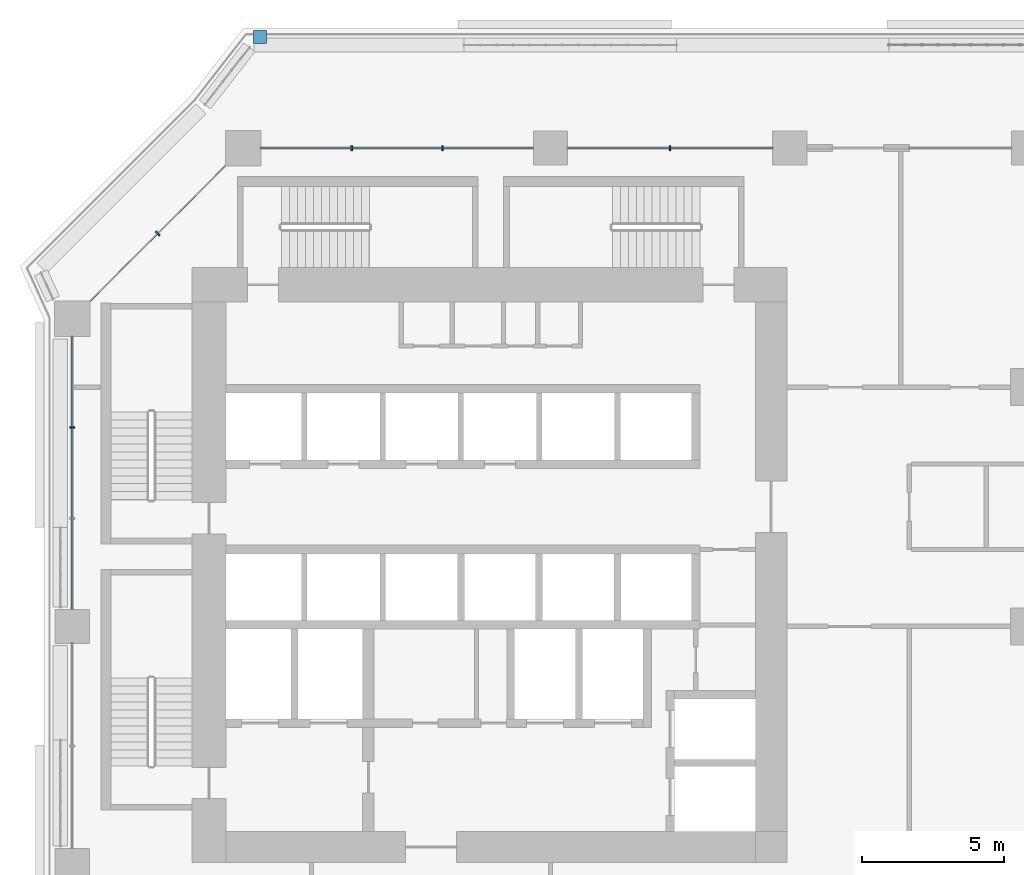
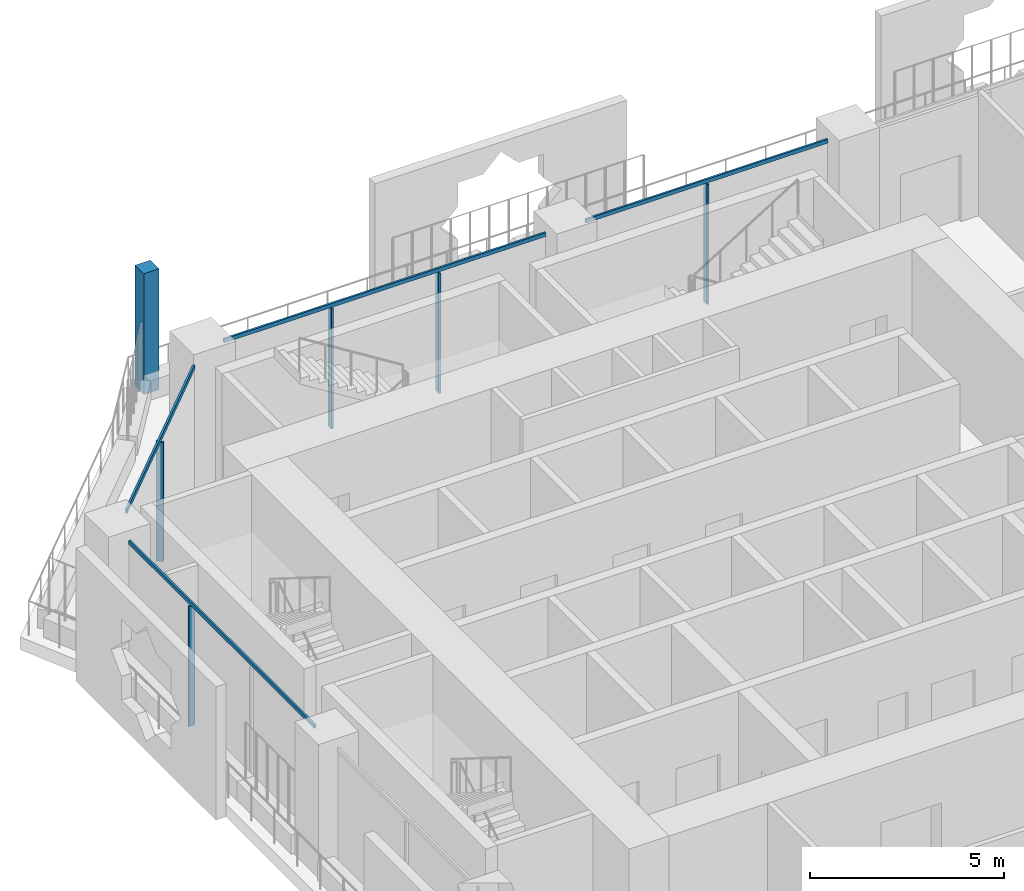
# One storey, part 8 of 28: 10 members, 4 elements without a shape of their own.
"""IFC4 building model written with IfcOpenShell, lengths in metres."""

from ifc_helpers import new_model, si_unit, direction, frame, origin, origin_2d, place, context, subcontext, project, spatial, rectangle, extrude, material, layer, layer_set, material_profile, profile_set, type_object, element, aggregate, save


model = new_model("IFC4")

# Units and contexts
model_context = context("Model", 3, precision=1e-05, world=origin(), true_north=direction((0.0, 1.0)))
body_context = subcontext(model_context, "Body", "Model", "MODEL_VIEW")
ifc_project = project(units=[si_unit("LENGTHUNIT", "METRE"), si_unit("AREAUNIT", "SQUARE_METRE"), si_unit("VOLUMEUNIT", "CUBIC_METRE"), si_unit("PLANEANGLEUNIT", "RADIAN"), si_unit("MASSUNIT", "GRAM", prefix="KILO")], contexts=[model_context])

# Site, building, storey
site_placement = place(None, origin())
site = spatial("IfcSite", under=ifc_project, at=site_placement, CompositionType="ELEMENT")
building_placement = place(site_placement, origin())
building = spatial("IfcBuilding", under=site, at=building_placement, Name="Kawkab Arch Medical Tower", CompositionType="ELEMENT")
storey_placement = place(building_placement, frame((0.0, 0.0, 72.800048828125)))
storey = spatial("IfcBuildingStorey", under=building, at=storey_placement, Name="L16", CompositionType="ELEMENT", Elevation=72.800048828125)

# Curtain wall, member
ifc_material_1 = material(Name="Bronze anodised aluminium curtain wall frame", Category="aluminium")
ifc_layer_1 = layer(ifc_material_1, 0.159912109375)
ifc_layer_set_1 = layer_set([ifc_layer_1], Name="Bronze anodised aluminium curtain wall frame")
curtain_wall_type_1 = type_object("IfcCurtainWallType", Name="CW1 ward curtain wall", PredefinedType="NOTDEFINED", material=ifc_layer_set_1)
placement = place(storey_placement, origin())
curtain_wall_1 = element("IfcCurtainWall", 1, at=placement, inside=storey, type_object=curtain_wall_type_1, Name="CW1 Ward curtain wall R01", PredefinedType="NOTDEFINED")
ifc_material_2 = material(Name="Bronze anodised aluminium curtain wall frame", Category="aluminium")
ifc_material_profile_1 = material_profile(ifc_material_2, rectangle(XDim=0.179931640625, YDim=0.06005859375, at=origin_2d()), Name="AL 60x180")
ifc_profile_set_1 = profile_set([ifc_material_profile_1], Name="Bronze anodised aluminium curtain wall frame")
member_type_1 = type_object("IfcMemberType", Name="CW1 mullion 60 x 180", PredefinedType="MULLION", material=ifc_profile_set_1)
member_1_placement = place(storey_placement, frame((0.0, -9.816650390625, 0.0), z_axis=(0.0, 0.0, 1.0), x_axis=(1.0, 0.0, 0.0)))
member_1 = element("IfcMember", 2, at=member_1_placement, type_object=member_type_1, Name="CW1 mullion 1.1", PredefinedType="MULLION", context=body_context, shape_type="SweptSolid", body=[
    extrude(rectangle(XDim=0.179931640625, YDim=0.06005859375, at=origin_2d()), origin(), (0.0, 0.0, 1.0), 3.780029296875),
])

# Curtain wall, members
curtain_wall_2 = element("IfcCurtainWall", 3, at=placement, inside=storey, type_object=curtain_wall_type_1, Name="CW1 Ward curtain wall R11", PredefinedType="NOTDEFINED")
member_2_placement = place(storey_placement, frame((21.0, 0.0, 0.0), z_axis=(0.0, 0.0, 1.0), x_axis=(0.0, -1.0, 0.0)))
member_2 = element("IfcMember", 4, at=member_2_placement, type_object=member_type_1, Name="CW1 mullion 7.1", PredefinedType="MULLION", context=body_context, shape_type="SweptSolid", body=[
    extrude(rectangle(XDim=0.179931640625, YDim=0.06005859375, at=origin_2d()), origin(), (0.0, 0.0, 1.0), 3.780029296875),
])
member_3_placement = place(storey_placement, frame((13.00830078125, 0.0, 0.0), z_axis=(0.0, 0.0, 1.0), x_axis=(0.0, -1.0, 0.0)))
member_3 = element("IfcMember", 5, at=member_3_placement, type_object=member_type_1, Name="CW1 mullion 8.1", PredefinedType="MULLION", context=body_context, shape_type="SweptSolid", body=[
    extrude(rectangle(XDim=0.179931640625, YDim=0.06005859375, at=origin_2d()), origin(), (0.0, 0.0, 1.0), 3.780029296875),
])
member_4_placement = place(storey_placement, frame((9.816650390625, 0.0, 0.0), z_axis=(0.0, 0.0, 1.0), x_axis=(0.0, -1.0, 0.0)))
member_4 = element("IfcMember", 6, at=member_4_placement, type_object=member_type_1, Name="CW1 mullion 8.2", PredefinedType="MULLION", context=body_context, shape_type="SweptSolid", body=[
    extrude(rectangle(XDim=0.179931640625, YDim=0.06005859375, at=origin_2d()), origin(), (0.0, 0.0, 1.0), 3.780029296875),
])

# Member
ifc_material_3 = material(Name="Bronze anodised aluminium curtain wall frame", Category="aluminium")
ifc_material_profile_2 = material_profile(ifc_material_3, rectangle(XDim=0.06005859375, YDim=0.1201171875, at=origin_2d()), Name="AL 60x120")
ifc_profile_set_2 = profile_set([ifc_material_profile_2], Name="Bronze anodised aluminium curtain wall frame")
member_type_2 = type_object("IfcMemberType", Name="CW1 transom 120 x 60", PredefinedType="USERDEFINED", material=ifc_profile_set_2)
member_5_placement = place(storey_placement, frame((0.0, -6.625, 3.83984375), z_axis=(0.0, -1.0, 0.0), x_axis=(1.0, 0.0, 0.0)))
member_5 = element("IfcMember", 7, at=member_5_placement, type_object=member_type_2, Name="CW1 transom 1", ObjectType="TRANSOM", PredefinedType="USERDEFINED", context=body_context, shape_type="SweptSolid", body=[
    extrude(rectangle(XDim=0.06005859375, YDim=0.1201171875, at=origin_2d()), origin(), (0.0, 0.0, 1.0), 9.574951171875),
])

aggregate(curtain_wall_1, [member_5, member_1])

member_6_placement = place(storey_placement, frame((24.60009765625, 0.0, 3.83984375), z_axis=(-1.0, 0.0, 0.0), x_axis=(0.0, -1.0, 0.0)))
member_6 = element("IfcMember", 8, at=member_6_placement, type_object=member_type_2, Name="CW1 transom 7", ObjectType="TRANSOM", PredefinedType="USERDEFINED", context=body_context, shape_type="SweptSolid", body=[
    extrude(rectangle(XDim=0.06005859375, YDim=0.1201171875, at=origin_2d()), origin(), (0.0, 0.0, 1.0), 7.2001953125),
])

member_7_placement = place(storey_placement, frame((16.199951171875, 0.0, 3.83984375), z_axis=(-1.0, 0.0, 0.0), x_axis=(0.0, -1.0, 0.0)))
member_7 = element("IfcMember", 9, at=member_7_placement, type_object=member_type_2, Name="CW1 transom 8", ObjectType="TRANSOM", PredefinedType="USERDEFINED", context=body_context, shape_type="SweptSolid", body=[
    extrude(rectangle(XDim=0.06005859375, YDim=0.1201171875, at=origin_2d()), origin(), (0.0, 0.0, 1.0), 9.574951171875),
])

aggregate(curtain_wall_2, [member_6, member_2, member_7, member_3, member_4])

# Curtain wall, members
ifc_material_4 = material(Name="Bronze anodised aluminium curtain wall frame", Category="aluminium")
ifc_layer_2 = layer(ifc_material_4, 0.159912109375)
ifc_layer_set_2 = layer_set([ifc_layer_2], Name="Bronze anodised aluminium curtain wall frame")
curtain_wall_type_2 = type_object("IfcCurtainWallType", Name="CW2 chamfer curtain wall", PredefinedType="NOTDEFINED", material=ifc_layer_set_2)
curtain_wall_3 = element("IfcCurtainWall", 10, at=placement, inside=storey, type_object=curtain_wall_type_2, Name="CW2 Chamfer curtain wall R12", PredefinedType="NOTDEFINED")
ifc_material_5 = material(Name="Bronze anodised aluminium curtain wall frame", Category="aluminium")
ifc_material_profile_3 = material_profile(ifc_material_5, rectangle(XDim=0.199951171875, YDim=0.06005859375, at=origin_2d()), Name="AL 60x200")
ifc_profile_set_3 = profile_set([ifc_material_profile_3], Name="Bronze anodised aluminium curtain wall frame")
member_type_3 = type_object("IfcMemberType", Name="CW2 mullion 60 x 200", PredefinedType="MULLION", material=ifc_profile_set_3)
member_8_placement = place(storey_placement, frame((3.0, -3.0, 0.0), z_axis=(0.0, 0.0, 1.0), x_axis=(0.707106781187, -0.707106781187, 0.0)))
member_8 = element("IfcMember", 11, at=member_8_placement, type_object=member_type_3, Name="CW2 mullion 1.1", PredefinedType="MULLION", context=body_context, shape_type="SweptSolid", body=[
    extrude(rectangle(XDim=0.199951171875, YDim=0.06005859375, at=origin_2d()), origin(), (0.0, 0.0, 1.0), 3.760009765625),
])
ifc_material_6 = material(Name="Bronze anodised aluminium curtain wall frame", Category="aluminium")
ifc_material_profile_4 = material_profile(ifc_material_6, rectangle(XDim=0.06005859375, YDim=0.139892578125, at=origin_2d()), Name="AL 60x140")
ifc_profile_set_4 = profile_set([ifc_material_profile_4], Name="Bronze anodised aluminium curtain wall frame")
member_type_4 = type_object("IfcMemberType", Name="CW2 transom 140 x 60", PredefinedType="USERDEFINED", material=ifc_profile_set_4)
member_9_placement = place(storey_placement, frame((5.375, -0.625, 3.829833984375), z_axis=(-0.707106781187, -0.707106781187, 0.0), x_axis=(0.707106781187, -0.707106781187, 0.0)))
member_9 = element("IfcMember", 12, at=member_9_placement, type_object=member_type_4, Name="CW2 transom 1", ObjectType="TRANSOM", PredefinedType="USERDEFINED", context=body_context, shape_type="SweptSolid", body=[
    extrude(rectangle(XDim=0.06005859375, YDim=0.139892578125, at=origin_2d()), origin(), (0.0, 0.0, 1.0), 6.717529296875),
])
aggregate(curtain_wall_3, [member_9, member_8])

# Curtain wall, member
ifc_material_7 = material(Name="Bronze anodised aluminium climber frame, planted", Category="aluminium")
ifc_layer_3 = layer(ifc_material_7, 0.449951171875)
ifc_layer_set_3 = layer_set([ifc_layer_3], Name="Bronze anodised aluminium climber frame, planted")
curtain_wall_type_3 = type_object("IfcCurtainWallType", Name="Planted climber frame", PredefinedType="NOTDEFINED", material=ifc_layer_set_3)
curtain_wall_4 = element("IfcCurtainWall", 13, at=placement, inside=storey, type_object=curtain_wall_type_3, Name="Planted climber frame L16", PredefinedType="NOTDEFINED")
ifc_material_8 = material(Name="Bronze anodised aluminium climber frame, planted", Category="aluminium")
ifc_material_profile_5 = material_profile(ifc_material_8, rectangle(XDim=0.449951171875, YDim=0.449951171875, at=origin_2d()), Name="Post 450x450")
ifc_profile_set_5 = profile_set([ifc_material_profile_5], Name="Bronze anodised aluminium climber frame, planted")
member_type_5 = type_object("IfcMemberType", Name="Planted climber post 450 x 450", PredefinedType="MULLION", material=ifc_profile_set_5)
member_10_placement = place(storey_placement, frame((6.596923828125, 3.89990234375, 0.0), z_axis=(0.0, 0.0, 1.0), x_axis=(1.0, 0.0, 0.0)))
member_10 = element("IfcMember", 14, at=member_10_placement, type_object=member_type_5, Name="Planted climber post L16.LOG-01-01.3", PredefinedType="MULLION", context=body_context, shape_type="SweptSolid", body=[
    extrude(rectangle(XDim=0.449951171875, YDim=0.449951171875, at=origin_2d()), origin(), (0.0, 0.0, 1.0), 3.800048828125),
])
aggregate(curtain_wall_4, [member_10])

save(model, "model.ifc")
